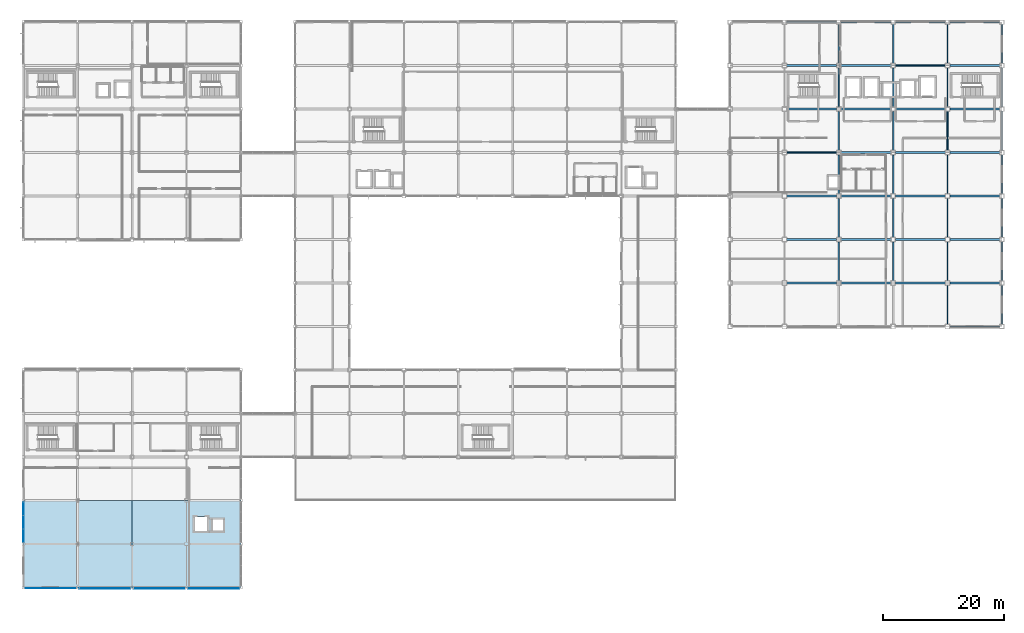
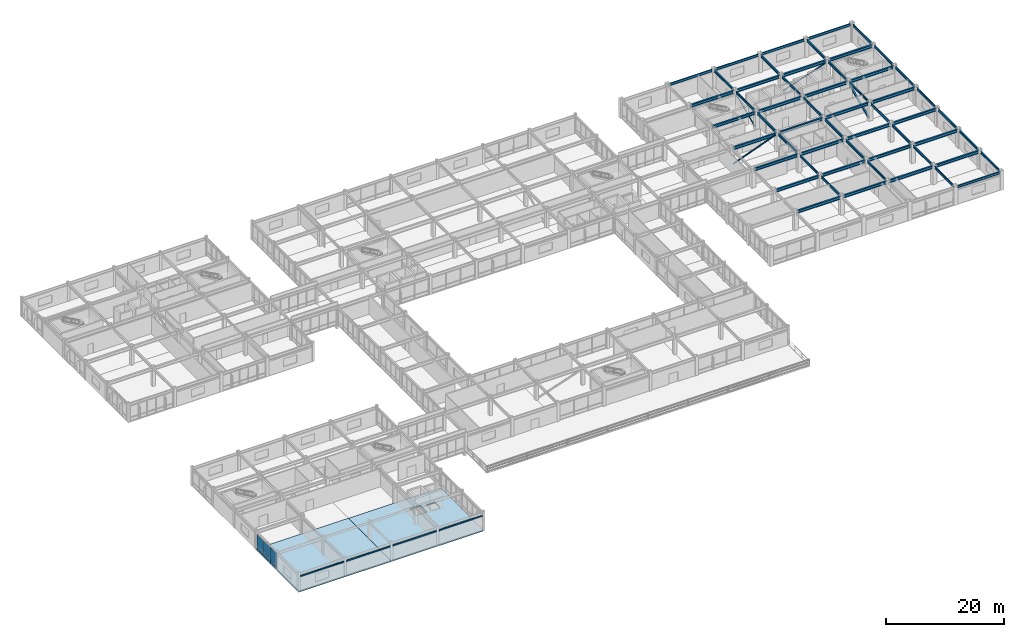
# One storey, part 88 of 122: 55 beams, 10 plates, 4 members, 2 slabs, 1 element without a shape of its own.
"""IFC4 building model written with IfcOpenShell, lengths in metres."""

from ifc_helpers import new_model, si_unit, direction, frame, origin, origin_2d, place, context, subcontext, project, spatial, polyline, rectangle, hollow_rectangle, hollow_circle, i_section, outline, extrude, material, layer, layer_set, material_profile, profile_set, type_object, element, aggregate, save


model = new_model("IFC4")

# Units and contexts
model_context = context("Model", 3, precision=1e-05, world=origin(), true_north=direction((0.0, 1.0)))
body_context = subcontext(model_context, "Body", "Model", "MODEL_VIEW")
ifc_project = project(units=[si_unit("LENGTHUNIT", "METRE"), si_unit("AREAUNIT", "SQUARE_METRE"), si_unit("VOLUMEUNIT", "CUBIC_METRE"), si_unit("PLANEANGLEUNIT", "RADIAN"), si_unit("MASSUNIT", "GRAM", prefix="KILO")], contexts=[model_context])

# Site, building, storey
site_placement = place(None, origin())
site = spatial("IfcSite", under=ifc_project, at=site_placement, CompositionType="ELEMENT")
building_placement = place(site_placement, origin())
building = spatial("IfcBuilding", under=site, at=building_placement, Name="Kazanami Central Library", CompositionType="ELEMENT")
storey_placement = place(building_placement, frame((0.0, 0.0, 4.800048828125)))
storey = spatial("IfcBuildingStorey", under=building, at=storey_placement, Name="L02", CompositionType="ELEMENT", Elevation=4.800048828125)

# Beams
ifc_material_1 = material(Name="Steel SN490B (325 MPa)", Category="steel")
ifc_material_profile_1 = material_profile(ifc_material_1, i_section(OverallWidth=0.300048828125, OverallDepth=0.587890625, WebThickness=0.011962890625, FlangeThickness=0.02001953125, at=origin_2d()), Name="H-588x300x12x20")
ifc_profile_set_1 = profile_set([ifc_material_profile_1], Name="Steel SN490B (325 MPa)")
beam_type_1 = type_object("IfcBeamType", Name="BM-G-X2", PredefinedType="BEAM", material=ifc_profile_set_1)
for number, where, z_axis, x_axis, name in (
    (1, (126.373046875, 50.39990234375, 3.4609375), (1.0, 0.0, 0.0), (0.0, 1.0, 0.0), "Girder G-X2 L02 H/15-16"),
    (2, (135.373046875, 50.39990234375, 3.4609375), (1.0, 0.0, 0.0), (0.0, 1.0, 0.0), "Girder G-X2 L02 H/16-17"),
    (3, (144.373046875, 50.39990234375, 3.4609375), (1.0, 0.0, 0.0), (0.0, 1.0, 0.0), "Girder G-X2 L02 H/17-18"),
):
    element("IfcBeam", number, at=place(storey_placement, frame(where, z_axis=z_axis, x_axis=x_axis)), inside=storey, type_object=beam_type_1, Name=name, PredefinedType="BEAM", context=body_context, shape_type="SweptSolid", body=[
        extrude(i_section(OverallWidth=0.300048828125, OverallDepth=0.587890625, WebThickness=0.011962890625, FlangeThickness=0.02001953125, at=origin_2d()), origin(), (0.0, 0.0, 1.0), 8.25390625),
    ])
beam_1_placement = place(storey_placement, frame((153.373046875, 50.39990234375, 3.4609375), z_axis=(1.0, 0.0, 0.0), x_axis=(0.0, 1.0, 0.0)))
element("IfcBeam", 4, at=beam_1_placement, inside=storey, type_object=beam_type_1, Name="Girder G-X2 L02 H/18-19", PredefinedType="BEAM", context=body_context, shape_type="SweptSolid", body=[
    extrude(i_section(OverallWidth=0.300048828125, OverallDepth=0.587890625, WebThickness=0.011962890625, FlangeThickness=0.02001953125, at=origin_2d()), origin(), (0.0, 0.0, 1.0), 8.279052734375),
])
for number, where, z_axis, x_axis, name in (
    (5, (126.373046875, 57.60009765625, 3.4609375), (1.0, 0.0, 0.0), (0.0, 1.0, 0.0), "Girder G-X2 L02 J/15-16"),
    (6, (135.373046875, 57.60009765625, 3.4609375), (1.0, 0.0, 0.0), (0.0, 1.0, 0.0), "Girder G-X2 L02 J/16-17"),
    (7, (144.373046875, 57.60009765625, 3.4609375), (1.0, 0.0, 0.0), (0.0, 1.0, 0.0), "Girder G-X2 L02 J/17-18"),
):
    element("IfcBeam", number, at=place(storey_placement, frame(where, z_axis=z_axis, x_axis=x_axis)), inside=storey, type_object=beam_type_1, Name=name, PredefinedType="BEAM", context=body_context, shape_type="SweptSolid", body=[
        extrude(i_section(OverallWidth=0.300048828125, OverallDepth=0.587890625, WebThickness=0.011962890625, FlangeThickness=0.02001953125, at=origin_2d()), origin(), (0.0, 0.0, 1.0), 8.25390625),
    ])
beam_2_placement = place(storey_placement, frame((153.373046875, 57.60009765625, 3.4609375), z_axis=(1.0, 0.0, 0.0), x_axis=(0.0, 1.0, 0.0)))
element("IfcBeam", 8, at=beam_2_placement, inside=storey, type_object=beam_type_1, Name="Girder G-X2 L02 J/18-19", PredefinedType="BEAM", context=body_context, shape_type="SweptSolid", body=[
    extrude(i_section(OverallWidth=0.300048828125, OverallDepth=0.587890625, WebThickness=0.011962890625, FlangeThickness=0.02001953125, at=origin_2d()), origin(), (0.0, 0.0, 1.0), 8.279052734375),
])
for number, where, z_axis, x_axis, name in (
    (9, (126.373046875, 64.800048828125, 3.4609375), (1.0, 0.0, 0.0), (0.0, 1.0, 0.0), "Girder G-X2 L02 K/15-16"),
    (10, (135.373046875, 64.800048828125, 3.4609375), (1.0, 0.0, 0.0), (0.0, 1.0, 0.0), "Girder G-X2 L02 K/16-17"),
    (11, (144.373046875, 64.800048828125, 3.4609375), (1.0, 0.0, 0.0), (0.0, 1.0, 0.0), "Girder G-X2 L02 K/17-18"),
):
    element("IfcBeam", number, at=place(storey_placement, frame(where, z_axis=z_axis, x_axis=x_axis)), inside=storey, type_object=beam_type_1, Name=name, PredefinedType="BEAM", context=body_context, shape_type="SweptSolid", body=[
        extrude(i_section(OverallWidth=0.300048828125, OverallDepth=0.587890625, WebThickness=0.011962890625, FlangeThickness=0.02001953125, at=origin_2d()), origin(), (0.0, 0.0, 1.0), 8.25390625),
    ])
beam_3_placement = place(storey_placement, frame((153.373046875, 64.800048828125, 3.4609375), z_axis=(1.0, 0.0, 0.0), x_axis=(0.0, 1.0, 0.0)))
element("IfcBeam", 12, at=beam_3_placement, inside=storey, type_object=beam_type_1, Name="Girder G-X2 L02 K/18-19", PredefinedType="BEAM", context=body_context, shape_type="SweptSolid", body=[
    extrude(i_section(OverallWidth=0.300048828125, OverallDepth=0.587890625, WebThickness=0.011962890625, FlangeThickness=0.02001953125, at=origin_2d()), origin(), (0.0, 0.0, 1.0), 8.279052734375),
])
for number, where, z_axis, x_axis, name in (
    (13, (126.373046875, 72.0, 3.4609375), (1.0, 0.0, 0.0), (0.0, 1.0, 0.0), "Girder G-X2 L02 L/15-16"),
    (14, (135.373046875, 72.0, 3.4609375), (1.0, 0.0, 0.0), (0.0, 1.0, 0.0), "Girder G-X2 L02 L/16-17"),
    (15, (144.373046875, 72.0, 3.4609375), (1.0, 0.0, 0.0), (0.0, 1.0, 0.0), "Girder G-X2 L02 L/17-18"),
):
    element("IfcBeam", number, at=place(storey_placement, frame(where, z_axis=z_axis, x_axis=x_axis)), inside=storey, type_object=beam_type_1, Name=name, PredefinedType="BEAM", context=body_context, shape_type="SweptSolid", body=[
        extrude(i_section(OverallWidth=0.300048828125, OverallDepth=0.587890625, WebThickness=0.011962890625, FlangeThickness=0.02001953125, at=origin_2d()), origin(), (0.0, 0.0, 1.0), 8.25390625),
    ])
beam_4_placement = place(storey_placement, frame((153.373046875, 72.0, 3.4609375), z_axis=(1.0, 0.0, 0.0), x_axis=(0.0, 1.0, 0.0)))
element("IfcBeam", 16, at=beam_4_placement, inside=storey, type_object=beam_type_1, Name="Girder G-X2 L02 L/18-19", PredefinedType="BEAM", context=body_context, shape_type="SweptSolid", body=[
    extrude(i_section(OverallWidth=0.300048828125, OverallDepth=0.587890625, WebThickness=0.011962890625, FlangeThickness=0.02001953125, at=origin_2d()), origin(), (0.0, 0.0, 1.0), 8.279052734375),
])
for number, where, z_axis, x_axis, name in (
    (17, (126.373046875, 79.199951171875, 3.4609375), (1.0, 0.0, 0.0), (0.0, 1.0, 0.0), "Girder G-X2 L02 M/15-16"),
    (18, (135.373046875, 79.199951171875, 3.4609375), (1.0, 0.0, 0.0), (0.0, 1.0, 0.0), "Girder G-X2 L02 M/16-17"),
    (19, (144.373046875, 79.199951171875, 3.4609375), (1.0, 0.0, 0.0), (0.0, 1.0, 0.0), "Girder G-X2 L02 M/17-18"),
):
    element("IfcBeam", number, at=place(storey_placement, frame(where, z_axis=z_axis, x_axis=x_axis)), inside=storey, type_object=beam_type_1, Name=name, PredefinedType="BEAM", context=body_context, shape_type="SweptSolid", body=[
        extrude(i_section(OverallWidth=0.300048828125, OverallDepth=0.587890625, WebThickness=0.011962890625, FlangeThickness=0.02001953125, at=origin_2d()), origin(), (0.0, 0.0, 1.0), 8.25390625),
    ])
beam_5_placement = place(storey_placement, frame((153.373046875, 79.199951171875, 3.4609375), z_axis=(1.0, 0.0, 0.0), x_axis=(0.0, 1.0, 0.0)))
element("IfcBeam", 20, at=beam_5_placement, inside=storey, type_object=beam_type_1, Name="Girder G-X2 L02 M/18-19", PredefinedType="BEAM", context=body_context, shape_type="SweptSolid", body=[
    extrude(i_section(OverallWidth=0.300048828125, OverallDepth=0.587890625, WebThickness=0.011962890625, FlangeThickness=0.02001953125, at=origin_2d()), origin(), (0.0, 0.0, 1.0), 8.279052734375),
])
for number, where, z_axis, x_axis, name in (
    (21, (126.373046875, 86.39990234375, 3.4609375), (1.0, 0.0, 0.0), (0.0, 1.0, 0.0), "Girder G-X2 L02 N/15-16"),
    (22, (135.373046875, 86.39990234375, 3.4609375), (1.0, 0.0, 0.0), (0.0, 1.0, 0.0), "Girder G-X2 L02 N/16-17"),
    (23, (144.373046875, 86.39990234375, 3.4609375), (1.0, 0.0, 0.0), (0.0, 1.0, 0.0), "Girder G-X2 L02 N/17-18"),
):
    element("IfcBeam", number, at=place(storey_placement, frame(where, z_axis=z_axis, x_axis=x_axis)), inside=storey, type_object=beam_type_1, Name=name, PredefinedType="BEAM", context=body_context, shape_type="SweptSolid", body=[
        extrude(i_section(OverallWidth=0.300048828125, OverallDepth=0.587890625, WebThickness=0.011962890625, FlangeThickness=0.02001953125, at=origin_2d()), origin(), (0.0, 0.0, 1.0), 8.25390625),
    ])
beam_6_placement = place(storey_placement, frame((153.373046875, 86.39990234375, 3.4609375), z_axis=(1.0, 0.0, 0.0), x_axis=(0.0, 1.0, 0.0)))
element("IfcBeam", 24, at=beam_6_placement, inside=storey, type_object=beam_type_1, Name="Girder G-X2 L02 N/18-19", PredefinedType="BEAM", context=body_context, shape_type="SweptSolid", body=[
    extrude(i_section(OverallWidth=0.300048828125, OverallDepth=0.587890625, WebThickness=0.011962890625, FlangeThickness=0.02001953125, at=origin_2d()), origin(), (0.0, 0.0, 1.0), 8.279052734375),
])
ifc_material_profile_2 = material_profile(ifc_material_1, i_section(OverallWidth=0.199951171875, OverallDepth=0.5, WebThickness=0.010009765625, FlangeThickness=0.01611328125, at=origin_2d()), Name="H-500x200x10x16")
ifc_profile_set_2 = profile_set([ifc_material_profile_2], Name="Steel SN490B (325 MPa)")
beam_type_2 = type_object("IfcBeamType", Name="BM-G-Y2", PredefinedType="BEAM", material=ifc_profile_set_2)
for number, where, z_axis, x_axis, name in (
    (25, (135.0, 50.77294921875, 3.5048828125), (0.0, 1.0, 0.0), (-1.0, 0.0, 0.0), "Girder G-Y2 L02 16/H-J"),
    (26, (135.0, 57.972900390625, 3.5048828125), (0.0, 1.0, 0.0), (-1.0, 0.0, 0.0), "Girder G-Y2 L02 16/J-K"),
):
    element("IfcBeam", number, at=place(storey_placement, frame(where, z_axis=z_axis, x_axis=x_axis)), inside=storey, type_object=beam_type_2, Name=name, PredefinedType="BEAM", context=body_context, shape_type="SweptSolid", body=[
        extrude(i_section(OverallWidth=0.199951171875, OverallDepth=0.5, WebThickness=0.010009765625, FlangeThickness=0.01611328125, at=origin_2d()), origin(), (0.0, 0.0, 1.0), 6.4541015625),
    ])
for number, where, z_axis, x_axis, name in (
    (27, (135.0, 65.173095703125, 3.5048828125), (0.0, 1.0, 0.0), (-1.0, 0.0, 0.0), "Girder G-Y2 L02 16/K-L"),
    (28, (135.0, 72.373046875, 3.5048828125), (0.0, 1.0, 0.0), (-1.0, 0.0, 0.0), "Girder G-Y2 L02 16/L-M"),
):
    element("IfcBeam", number, at=place(storey_placement, frame(where, z_axis=z_axis, x_axis=x_axis)), inside=storey, type_object=beam_type_2, Name=name, PredefinedType="BEAM", context=body_context, shape_type="SweptSolid", body=[
        extrude(i_section(OverallWidth=0.199951171875, OverallDepth=0.5, WebThickness=0.010009765625, FlangeThickness=0.01611328125, at=origin_2d()), origin(), (0.0, 0.0, 1.0), 6.453857421875),
    ])
beam_7_placement = place(storey_placement, frame((135.0, 79.572998046875, 3.5048828125), z_axis=(0.0, 1.0, 0.0), x_axis=(-1.0, 0.0, 0.0)))
element("IfcBeam", 29, at=beam_7_placement, inside=storey, type_object=beam_type_2, Name="Girder G-Y2 L02 16/M-N", PredefinedType="BEAM", context=body_context, shape_type="SweptSolid", body=[
    extrude(i_section(OverallWidth=0.199951171875, OverallDepth=0.5, WebThickness=0.010009765625, FlangeThickness=0.01611328125, at=origin_2d()), origin(), (0.0, 0.0, 1.0), 6.4541015625),
])
beam_8_placement = place(storey_placement, frame((135.0, 86.77294921875, 3.5048828125), z_axis=(0.0, 1.0, 0.0), x_axis=(-1.0, 0.0, 0.0)))
element("IfcBeam", 30, at=beam_8_placement, inside=storey, type_object=beam_type_2, Name="Girder G-Y2 L02 16/N-O", PredefinedType="BEAM", context=body_context, shape_type="SweptSolid", body=[
    extrude(i_section(OverallWidth=0.199951171875, OverallDepth=0.5, WebThickness=0.010009765625, FlangeThickness=0.01611328125, at=origin_2d()), origin(), (0.0, 0.0, 1.0), 6.47900390625),
])
for number, where, z_axis, x_axis, name in (
    (31, (144.0, 50.77294921875, 3.5048828125), (0.0, 1.0, 0.0), (-1.0, 0.0, 0.0), "Girder G-Y2 L02 17/H-J"),
    (32, (144.0, 57.972900390625, 3.5048828125), (0.0, 1.0, 0.0), (-1.0, 0.0, 0.0), "Girder G-Y2 L02 17/J-K"),
):
    element("IfcBeam", number, at=place(storey_placement, frame(where, z_axis=z_axis, x_axis=x_axis)), inside=storey, type_object=beam_type_2, Name=name, PredefinedType="BEAM", context=body_context, shape_type="SweptSolid", body=[
        extrude(i_section(OverallWidth=0.199951171875, OverallDepth=0.5, WebThickness=0.010009765625, FlangeThickness=0.01611328125, at=origin_2d()), origin(), (0.0, 0.0, 1.0), 6.4541015625),
    ])
for number, where, z_axis, x_axis, name in (
    (33, (144.0, 65.173095703125, 3.5048828125), (0.0, 1.0, 0.0), (-1.0, 0.0, 0.0), "Girder G-Y2 L02 17/K-L"),
    (34, (144.0, 72.373046875, 3.5048828125), (0.0, 1.0, 0.0), (-1.0, 0.0, 0.0), "Girder G-Y2 L02 17/L-M"),
):
    element("IfcBeam", number, at=place(storey_placement, frame(where, z_axis=z_axis, x_axis=x_axis)), inside=storey, type_object=beam_type_2, Name=name, PredefinedType="BEAM", context=body_context, shape_type="SweptSolid", body=[
        extrude(i_section(OverallWidth=0.199951171875, OverallDepth=0.5, WebThickness=0.010009765625, FlangeThickness=0.01611328125, at=origin_2d()), origin(), (0.0, 0.0, 1.0), 6.453857421875),
    ])
beam_9_placement = place(storey_placement, frame((144.0, 79.572998046875, 3.5048828125), z_axis=(0.0, 1.0, 0.0), x_axis=(-1.0, 0.0, 0.0)))
element("IfcBeam", 35, at=beam_9_placement, inside=storey, type_object=beam_type_2, Name="Girder G-Y2 L02 17/M-N", PredefinedType="BEAM", context=body_context, shape_type="SweptSolid", body=[
    extrude(i_section(OverallWidth=0.199951171875, OverallDepth=0.5, WebThickness=0.010009765625, FlangeThickness=0.01611328125, at=origin_2d()), origin(), (0.0, 0.0, 1.0), 6.4541015625),
])
beam_10_placement = place(storey_placement, frame((144.0, 86.77294921875, 3.5048828125), z_axis=(0.0, 1.0, 0.0), x_axis=(-1.0, 0.0, 0.0)))
element("IfcBeam", 36, at=beam_10_placement, inside=storey, type_object=beam_type_2, Name="Girder G-Y2 L02 17/N-O", PredefinedType="BEAM", context=body_context, shape_type="SweptSolid", body=[
    extrude(i_section(OverallWidth=0.199951171875, OverallDepth=0.5, WebThickness=0.010009765625, FlangeThickness=0.01611328125, at=origin_2d()), origin(), (0.0, 0.0, 1.0), 6.47900390625),
])
for number, where, z_axis, x_axis, name in (
    (37, (153.0, 43.572998046875, 3.5048828125), (0.0, 1.0, 0.0), (-1.0, 0.0, 0.0), "Girder G-Y2 L02 18/G-H"),
    (38, (153.0, 50.77294921875, 3.5048828125), (0.0, 1.0, 0.0), (-1.0, 0.0, 0.0), "Girder G-Y2 L02 18/H-J"),
    (39, (153.0, 57.972900390625, 3.5048828125), (0.0, 1.0, 0.0), (-1.0, 0.0, 0.0), "Girder G-Y2 L02 18/J-K"),
):
    element("IfcBeam", number, at=place(storey_placement, frame(where, z_axis=z_axis, x_axis=x_axis)), inside=storey, type_object=beam_type_2, Name=name, PredefinedType="BEAM", context=body_context, shape_type="SweptSolid", body=[
        extrude(i_section(OverallWidth=0.199951171875, OverallDepth=0.5, WebThickness=0.010009765625, FlangeThickness=0.01611328125, at=origin_2d()), origin(), (0.0, 0.0, 1.0), 6.4541015625),
    ])
for number, where, z_axis, x_axis, name in (
    (40, (153.0, 65.173095703125, 3.5048828125), (0.0, 1.0, 0.0), (-1.0, 0.0, 0.0), "Girder G-Y2 L02 18/K-L"),
    (41, (153.0, 72.373046875, 3.5048828125), (0.0, 1.0, 0.0), (-1.0, 0.0, 0.0), "Girder G-Y2 L02 18/L-M"),
):
    element("IfcBeam", number, at=place(storey_placement, frame(where, z_axis=z_axis, x_axis=x_axis)), inside=storey, type_object=beam_type_2, Name=name, PredefinedType="BEAM", context=body_context, shape_type="SweptSolid", body=[
        extrude(i_section(OverallWidth=0.199951171875, OverallDepth=0.5, WebThickness=0.010009765625, FlangeThickness=0.01611328125, at=origin_2d()), origin(), (0.0, 0.0, 1.0), 6.453857421875),
    ])
beam_11_placement = place(storey_placement, frame((153.0, 79.572998046875, 3.5048828125), z_axis=(0.0, 1.0, 0.0), x_axis=(-1.0, 0.0, 0.0)))
element("IfcBeam", 42, at=beam_11_placement, inside=storey, type_object=beam_type_2, Name="Girder G-Y2 L02 18/M-N", PredefinedType="BEAM", context=body_context, shape_type="SweptSolid", body=[
    extrude(i_section(OverallWidth=0.199951171875, OverallDepth=0.5, WebThickness=0.010009765625, FlangeThickness=0.01611328125, at=origin_2d()), origin(), (0.0, 0.0, 1.0), 6.4541015625),
])
beam_12_placement = place(storey_placement, frame((153.0, 86.77294921875, 3.5048828125), z_axis=(0.0, 1.0, 0.0), x_axis=(-1.0, 0.0, 0.0)))
element("IfcBeam", 43, at=beam_12_placement, inside=storey, type_object=beam_type_2, Name="Girder G-Y2 L02 18/N-O", PredefinedType="BEAM", context=body_context, shape_type="SweptSolid", body=[
    extrude(i_section(OverallWidth=0.199951171875, OverallDepth=0.5, WebThickness=0.010009765625, FlangeThickness=0.01611328125, at=origin_2d()), origin(), (0.0, 0.0, 1.0), 6.47900390625),
])
ifc_material_profile_3 = material_profile(ifc_material_1, i_section(OverallWidth=0.199951171875, OverallDepth=0.5, WebThickness=0.010009765625, FlangeThickness=0.01611328125, at=origin_2d()), Name="H-500x200x10x16")
ifc_profile_set_3 = profile_set([ifc_material_profile_3], Name="Steel SN490B (325 MPa)")
beam_type_3 = type_object("IfcBeamType", Name="BM-SP-1", PredefinedType="SPANDREL", material=ifc_profile_set_3)
beam_13_placement = place(storey_placement, frame((153.373046875, 43.199951171875, 3.5048828125), z_axis=(1.0, 0.0, 0.0), x_axis=(0.0, 1.0, 0.0)))
element("IfcBeam", 44, at=beam_13_placement, inside=storey, type_object=beam_type_3, Name="Girder SP-1 L02 G/18-19", PredefinedType="SPANDREL", context=body_context, shape_type="SweptSolid", body=[
    extrude(i_section(OverallWidth=0.199951171875, OverallDepth=0.5, WebThickness=0.010009765625, FlangeThickness=0.01611328125, at=origin_2d()), origin(), (0.0, 0.0, 1.0), 8.279052734375),
])
for number, where, z_axis, x_axis, name in (
    (45, (126.347900390625, 93.60009765625, 3.5048828125), (1.0, 0.0, 0.0), (0.0, 1.0, 0.0), "Girder SP-1 L02 O/15-16"),
    (46, (135.347900390625, 93.60009765625, 3.5048828125), (1.0, 0.0, 0.0), (0.0, 1.0, 0.0), "Girder SP-1 L02 O/16-17"),
    (47, (144.347900390625, 93.60009765625, 3.5048828125), (1.0, 0.0, 0.0), (0.0, 1.0, 0.0), "Girder SP-1 L02 O/17-18"),
    (48, (153.347900390625, 93.60009765625, 3.5048828125), (1.0, 0.0, 0.0), (0.0, 1.0, 0.0), "Girder SP-1 L02 O/18-19"),
):
    element("IfcBeam", number, at=place(storey_placement, frame(where, z_axis=z_axis, x_axis=x_axis)), inside=storey, type_object=beam_type_3, Name=name, PredefinedType="SPANDREL", context=body_context, shape_type="SweptSolid", body=[
        extrude(i_section(OverallWidth=0.199951171875, OverallDepth=0.5, WebThickness=0.010009765625, FlangeThickness=0.01611328125, at=origin_2d()), origin(), (0.0, 0.0, 1.0), 8.30419921875),
    ])
for number, where, z_axis, x_axis, name in (
    (49, (162.0, 43.548095703125, 3.5048828125), (0.0, 1.0, 0.0), (-1.0, 0.0, 0.0), "Girder SP-1 L02 19/G-H"),
    (50, (162.0, 50.748046875, 3.5048828125), (0.0, 1.0, 0.0), (-1.0, 0.0, 0.0), "Girder SP-1 L02 19/H-J"),
    (51, (162.0, 57.947998046875, 3.5048828125), (0.0, 1.0, 0.0), (-1.0, 0.0, 0.0), "Girder SP-1 L02 19/J-K"),
):
    element("IfcBeam", number, at=place(storey_placement, frame(where, z_axis=z_axis, x_axis=x_axis)), inside=storey, type_object=beam_type_3, Name=name, PredefinedType="SPANDREL", context=body_context, shape_type="SweptSolid", body=[
        extrude(i_section(OverallWidth=0.199951171875, OverallDepth=0.5, WebThickness=0.010009765625, FlangeThickness=0.01611328125, at=origin_2d()), origin(), (0.0, 0.0, 1.0), 6.50390625),
    ])
for number, where, z_axis, x_axis, name in (
    (52, (162.0, 65.14794921875, 3.5048828125), (0.0, 1.0, 0.0), (-1.0, 0.0, 0.0), "Girder SP-1 L02 19/K-L"),
    (53, (162.0, 72.347900390625, 3.5048828125), (0.0, 1.0, 0.0), (-1.0, 0.0, 0.0), "Girder SP-1 L02 19/L-M"),
):
    element("IfcBeam", number, at=place(storey_placement, frame(where, z_axis=z_axis, x_axis=x_axis)), inside=storey, type_object=beam_type_3, Name=name, PredefinedType="SPANDREL", context=body_context, shape_type="SweptSolid", body=[
        extrude(i_section(OverallWidth=0.199951171875, OverallDepth=0.5, WebThickness=0.010009765625, FlangeThickness=0.01611328125, at=origin_2d()), origin(), (0.0, 0.0, 1.0), 6.504150390625),
    ])
for number, where, z_axis, x_axis, name in (
    (54, (162.0, 79.548095703125, 3.5048828125), (0.0, 1.0, 0.0), (-1.0, 0.0, 0.0), "Girder SP-1 L02 19/M-N"),
    (55, (162.0, 86.748046875, 3.5048828125), (0.0, 1.0, 0.0), (-1.0, 0.0, 0.0), "Girder SP-1 L02 19/N-O"),
):
    element("IfcBeam", number, at=place(storey_placement, frame(where, z_axis=z_axis, x_axis=x_axis)), inside=storey, type_object=beam_type_3, Name=name, PredefinedType="SPANDREL", context=body_context, shape_type="SweptSolid", body=[
        extrude(i_section(OverallWidth=0.199951171875, OverallDepth=0.5, WebThickness=0.010009765625, FlangeThickness=0.01611328125, at=origin_2d()), origin(), (0.0, 0.0, 1.0), 6.50390625),
    ])

# Members
ifc_material_2 = material(Name="Steel STK490 (315 MPa)", Category="steel")
ifc_material_profile_4 = material_profile(ifc_material_2, hollow_circle(Radius=0.1337890625, WallThickness=0.00927734375, at=origin_2d()), Name="CHS-267.4x9.3")
ifc_profile_set_4 = profile_set([ifc_material_profile_4], Name="Steel STK490 (315 MPa)")
member_type_1 = type_object("IfcMemberType", Name="MEM-BR-03", PredefinedType="BRACE", material=ifc_profile_set_4)
member_1_placement = place(storey_placement, frame((126.375, 72.0, 0.25), z_axis=(0.935909653909, 0.0, 0.352240144958), x_axis=(0.0, 1.0, 0.0)))
element("IfcMember", 56, at=member_1_placement, inside=storey, type_object=member_type_1, Name="Concentric Steel Brace BR-03 L02 BF-V2A", PredefinedType="BRACE", context=body_context, shape_type="SweptSolid", body=[
    extrude(hollow_circle(Radius=0.1337890625, WallThickness=0.00927734375, at=origin_2d()), origin(), (0.0, 0.0, 1.0), 8.81494140625),
])
ifc_material_profile_5 = material_profile(ifc_material_2, hollow_circle(Radius=0.108154296875, WallThickness=0.00830078125, at=origin_2d()), Name="CHS-216.3x8.2")
ifc_profile_set_5 = profile_set([ifc_material_profile_5], Name="Steel STK490 (315 MPa)")
member_type_2 = type_object("IfcMemberType", Name="MEM-BR-04", PredefinedType="BRACE", material=ifc_profile_set_5)
member_2_placement = place(storey_placement, frame((144.375, 86.39990234375, 0.25), z_axis=(0.946073239737, 0.0, 0.323952813003), x_axis=(0.0, 1.0, 0.0)))
element("IfcMember", 57, at=member_2_placement, inside=storey, type_object=member_type_2, Name="Concentric Steel Brace BR-04 L02 BF-V2B", PredefinedType="BRACE", context=body_context, shape_type="SweptSolid", body=[
    extrude(hollow_circle(Radius=0.108154296875, WallThickness=0.00830078125, at=origin_2d()), origin(), (0.0, 0.0, 1.0), 8.72021484375),
])
ifc_material_profile_6 = material_profile(ifc_material_2, hollow_circle(Radius=0.095458984375, WallThickness=0.007080078125, at=origin_2d()), Name="CHS-190.7x7.0")
ifc_profile_set_6 = profile_set([ifc_material_profile_6], Name="Steel STK490 (315 MPa)")
member_type_3 = type_object("IfcMemberType", Name="MEM-BR-05", PredefinedType="BRACE", material=ifc_profile_set_6)
member_3_placement = place(storey_placement, frame((135.0, 79.574951171875, 0.25), z_axis=(0.0, 0.915995723761, 0.401188028299), x_axis=(-1.0, 0.0, 0.0)))
element("IfcMember", 58, at=member_3_placement, inside=storey, type_object=member_type_3, Name="Concentric Steel Brace BR-05 L02 BF-V2C", PredefinedType="BRACE", context=body_context, shape_type="SweptSolid", body=[
    extrude(hollow_circle(Radius=0.095458984375, WallThickness=0.007080078125, at=origin_2d()), origin(), (0.0, 0.0, 1.0), 7.04150390625),
])
ifc_material_profile_7 = material_profile(ifc_material_2, hollow_rectangle(XDim=0.300048828125, YDim=0.300048828125, WallThickness=0.011962890625, at=origin_2d()), Name="STKR-300x300x12")
ifc_profile_set_7 = profile_set([ifc_material_profile_7], Name="Steel STK490 (315 MPa)")
member_type_4 = type_object("IfcMemberType", Name="MEM-BR-06", PredefinedType="BRACE", material=ifc_profile_set_7)
member_4_placement = place(storey_placement, frame((153.0, 72.375, 0.25), z_axis=(0.0, 0.915995723761, 0.401188028299), x_axis=(-1.0, 0.0, 0.0)))
element("IfcMember", 59, at=member_4_placement, inside=storey, type_object=member_type_4, Name="Concentric Steel Brace BR-06 L02 BF-V2D", PredefinedType="BRACE", context=body_context, shape_type="SweptSolid", body=[
    extrude(hollow_rectangle(XDim=0.300048828125, YDim=0.300048828125, WallThickness=0.011962890625, at=origin_2d()), origin(), (0.0, 0.0, 1.0), 7.04150390625),
])

# Curtain wall, plates
ifc_material_3 = material(Name="Acid-Etched Low-E Laminated Glass", Category="glass")
curtain_wall_type = type_object("IfcCurtainWallType", Name="CW-6750x3255-M225", PredefinedType="USERDEFINED", material=ifc_material_3)
curtain_wall_placement = place(storey_placement, origin())
curtain_wall = element("IfcCurtainWall", 60, at=curtain_wall_placement, inside=storey, type_object=curtain_wall_type, Name="Unitised Curtain Wall CW-20 L02 W-1-01", ObjectType="UNITISED CURTAIN WALL", PredefinedType="USERDEFINED")
ifc_material_4 = material(Name="Low-E Insulated Triple Glass", Category="glass")
ifc_layer_1 = layer(ifc_material_4, 0.0400390625, Name="Low-E Insulated Triple Glass")
ifc_layer_set_1 = layer_set([ifc_layer_1], Name="Low-E Insulated Triple Glass")
plate_type_1 = type_object("IfcPlateType", Name="PLT-CW-P3", PredefinedType="CURTAIN_PANEL", material=ifc_layer_set_1)
plate_1_placement = place(storey_placement, frame((0.0, 8.566162109375, 0.8125), z_axis=(0.0, 0.0, 1.0), x_axis=(0.0, 1.0, 0.0)))
plate_1 = element("IfcPlate", 61, at=plate_1_placement, type_object=plate_type_1, Name="CW-20 panel 1.2", PredefinedType="CURTAIN_PANEL", context=body_context, shape_type="SweptSolid", body=[
    extrude(rectangle(XDim=2.152587890625, YDim=0.0400390625, at=origin_2d()), origin(), (0.0, 0.0, 1.0), 2.37744140625),
])
plate_2_placement = place(storey_placement, frame((0.0, 10.800048828125, 0.8125), z_axis=(0.0, 0.0, 1.0), x_axis=(0.0, 1.0, 0.0)))
plate_2 = element("IfcPlate", 62, at=plate_2_placement, type_object=plate_type_1, Name="CW-20 panel 2.2", PredefinedType="CURTAIN_PANEL", context=body_context, shape_type="SweptSolid", body=[
    extrude(rectangle(XDim=2.18505859375, YDim=0.0400390625, at=origin_2d()), origin(), (0.0, 0.0, 1.0), 2.37744140625),
])
plate_3_placement = place(storey_placement, frame((0.0, 13.03369140625, 0.8125), z_axis=(0.0, 0.0, 1.0), x_axis=(0.0, 1.0, 0.0)))
plate_3 = element("IfcPlate", 63, at=plate_3_placement, type_object=plate_type_1, Name="CW-20 panel 3.2", PredefinedType="CURTAIN_PANEL", context=body_context, shape_type="SweptSolid", body=[
    extrude(rectangle(XDim=2.152587890625, YDim=0.0400390625, at=origin_2d()), origin(), (0.0, 0.0, 1.0), 2.37744140625),
])
ifc_material_5 = material(Name="Anodised Aluminium A5052-H32", Category="aluminium")
ifc_layer_2 = layer(ifc_material_5, 0.052001953125, Name="Anodised Aluminium A5052-H32")
ifc_layer_set_2 = layer_set([ifc_layer_2], Name="Anodised Aluminium A5052-H32")
plate_type_2 = type_object("IfcPlateType", Name="PLT-CW-SP2", PredefinedType="CURTAIN_PANEL", material=ifc_layer_set_2)
plate_4_placement = place(storey_placement, frame((0.0, 8.566162109375, 0.06494140625), z_axis=(0.0, 0.0, 1.0), x_axis=(0.0, 1.0, 0.0)))
plate_4 = element("IfcPlate", 64, at=plate_4_placement, type_object=plate_type_2, Name="CW-20 panel 1.1", PredefinedType="CURTAIN_PANEL", context=body_context, shape_type="SweptSolid", body=[
    extrude(rectangle(XDim=2.152587890625, YDim=0.052001953125, at=origin_2d()), origin(), (0.0, 0.0, 1.0), 0.6826171875),
])
plate_5_placement = place(storey_placement, frame((0.0, 10.800048828125, 0.06494140625), z_axis=(0.0, 0.0, 1.0), x_axis=(0.0, 1.0, 0.0)))
plate_5 = element("IfcPlate", 65, at=plate_5_placement, type_object=plate_type_2, Name="CW-20 panel 2.1", PredefinedType="CURTAIN_PANEL", context=body_context, shape_type="SweptSolid", body=[
    extrude(rectangle(XDim=2.18505859375, YDim=0.052001953125, at=origin_2d()), origin(), (0.0, 0.0, 1.0), 0.6826171875),
])
plate_6_placement = place(storey_placement, frame((0.0, 13.03369140625, 0.06494140625), z_axis=(0.0, 0.0, 1.0), x_axis=(0.0, 1.0, 0.0)))
plate_6 = element("IfcPlate", 66, at=plate_6_placement, type_object=plate_type_2, Name="CW-20 panel 3.1", PredefinedType="CURTAIN_PANEL", context=body_context, shape_type="SweptSolid", body=[
    extrude(rectangle(XDim=2.152587890625, YDim=0.052001953125, at=origin_2d()), origin(), (0.0, 0.0, 1.0), 0.6826171875),
])
aggregate(curtain_wall, [plate_4, plate_1, plate_5, plate_2, plate_6, plate_3])

# Plates
ifc_layer_3 = layer(ifc_material_5, 0.013916015625, Name="Anodised Aluminium A5052-H32")
ifc_layer_set_3 = layer_set([ifc_layer_3], Name="Anodised Aluminium A5052-H32")
plate_type_3 = type_object("IfcPlateType", Name="PLT-SPN-14", PredefinedType="SHEET", material=ifc_layer_set_3)
plate_7_placement = place(storey_placement, frame((4.5, -0.1669921875, 2.94482421875), z_axis=(0.0, 0.0, 1.0), x_axis=(1.0, 0.0, 0.0)))
element("IfcPlate", 67, at=plate_7_placement, inside=storey, type_object=plate_type_3, Name="Architectural Spandrel Sheet SPN-14 L02 S-A-00", PredefinedType="SHEET", context=body_context, shape_type="SweptSolid", body=[
    extrude(rectangle(XDim=8.449951171875, YDim=0.013916015625, at=origin_2d()), origin(), (0.0, 0.0, 1.0), 0.300048828125),
])
ifc_layer_4 = layer(ifc_material_5, 0.01611328125, Name="Anodised Aluminium A5052-H32")
ifc_layer_set_4 = layer_set([ifc_layer_4], Name="Anodised Aluminium A5052-H32")
plate_type_4 = type_object("IfcPlateType", Name="PLT-SPN-16", PredefinedType="SHEET", material=ifc_layer_set_4)
plate_8_placement = place(storey_placement, frame((13.5, -0.16796875, 2.94482421875), z_axis=(0.0, 0.0, 1.0), x_axis=(1.0, 0.0, 0.0)))
element("IfcPlate", 68, at=plate_8_placement, inside=storey, type_object=plate_type_4, Name="Architectural Spandrel Sheet SPN-16 L02 S-A-01", PredefinedType="SHEET", context=body_context, shape_type="SweptSolid", body=[
    extrude(rectangle(XDim=8.449951171875, YDim=0.01611328125, at=origin_2d()), origin(), (0.0, 0.0, 1.0), 0.300048828125),
])
ifc_layer_5 = layer(ifc_material_5, 0.01806640625, Name="Anodised Aluminium A5052-H32")
ifc_layer_set_5 = layer_set([ifc_layer_5], Name="Anodised Aluminium A5052-H32")
plate_type_5 = type_object("IfcPlateType", Name="PLT-SPN-18", PredefinedType="SHEET", material=ifc_layer_set_5)
plate_9_placement = place(storey_placement, frame((22.5, -0.1689453125, 2.94482421875), z_axis=(0.0, 0.0, 1.0), x_axis=(1.0, 0.0, 0.0)))
element("IfcPlate", 69, at=plate_9_placement, inside=storey, type_object=plate_type_5, Name="Architectural Spandrel Sheet SPN-18 L02 S-A-02", PredefinedType="SHEET", context=body_context, shape_type="SweptSolid", body=[
    extrude(rectangle(XDim=8.449951171875, YDim=0.01806640625, at=origin_2d()), origin(), (0.0, 0.0, 1.0), 0.300048828125),
])
ifc_layer_6 = layer(ifc_material_5, 0.02001953125, Name="Anodised Aluminium A5052-H32")
ifc_layer_set_6 = layer_set([ifc_layer_6], Name="Anodised Aluminium A5052-H32")
plate_type_6 = type_object("IfcPlateType", Name="PLT-SPN-20", PredefinedType="SHEET", material=ifc_layer_set_6)
plate_10_placement = place(storey_placement, frame((31.5, -0.169921875, 2.94482421875), z_axis=(0.0, 0.0, 1.0), x_axis=(1.0, 0.0, 0.0)))
element("IfcPlate", 70, at=plate_10_placement, inside=storey, type_object=plate_type_6, Name="Architectural Spandrel Sheet SPN-20 L02 S-A-03", PredefinedType="SHEET", context=body_context, shape_type="SweptSolid", body=[
    extrude(rectangle(XDim=8.449951171875, YDim=0.02001953125, at=origin_2d()), origin(), (0.0, 0.0, 1.0), 0.300048828125),
])

# Slabs
ifc_material_6 = material(Name="Concrete Fc36 (36 MPa)", Category="concrete")
ifc_layer_7 = layer(ifc_material_6, 0.2451171875, Name="Concrete Fc36 (36 MPa)")
ifc_layer_set_7 = layer_set([ifc_layer_7], Name="Concrete Fc36 (36 MPa)")
slab_type = type_object("IfcSlabType", Name="SLB-FLR-245", PredefinedType="FLOOR", material=ifc_layer_set_7)
slab_1_placement = place(storey_placement, frame((0.0, 0.0, -0.2451171875)))
element("IfcSlab", 71, at=slab_1_placement, inside=storey, type_object=slab_type, Name="Composite Floor Slab L02 V3-PAV Zone 1", PredefinedType="FLOOR", context=body_context, shape_type="SweptSolid", body=[
    extrude(outline(polyline([(0.0, 0.0), (18.0, 0.0), (18.0, 14.39990234375), (0.0, 14.39990234375), (0.0, 0.0)])), origin(), (0.0, 0.0, 1.0), 0.2451171875),
])
slab_2_placement = place(storey_placement, frame((0.0, 0.0, -0.2451171875)))
element("IfcSlab", 72, at=slab_2_placement, inside=storey, type_object=slab_type, Name="Composite Floor Slab L02 V3-PAV Zone 3", PredefinedType="FLOOR", context=body_context, shape_type="SweptSolid", body=[
    extrude(outline(polyline([(18.0, 0.0), (36.0, 0.0), (36.0, 14.39990234375), (18.0, 14.39990234375), (18.0, 0.0)]), holes=[polyline([(28.375, 9.375), (30.425048828125, 9.375), (30.425048828125, 11.625), (28.375, 11.625), (28.375, 9.375)]), polyline([(31.35009765625, 9.35009765625), (33.050048828125, 9.35009765625), (33.050048828125, 11.25), (31.35009765625, 11.25), (31.35009765625, 9.35009765625)])]), origin(), (0.0, 0.0, 1.0), 0.2451171875),
])

save(model, "model.ifc")
